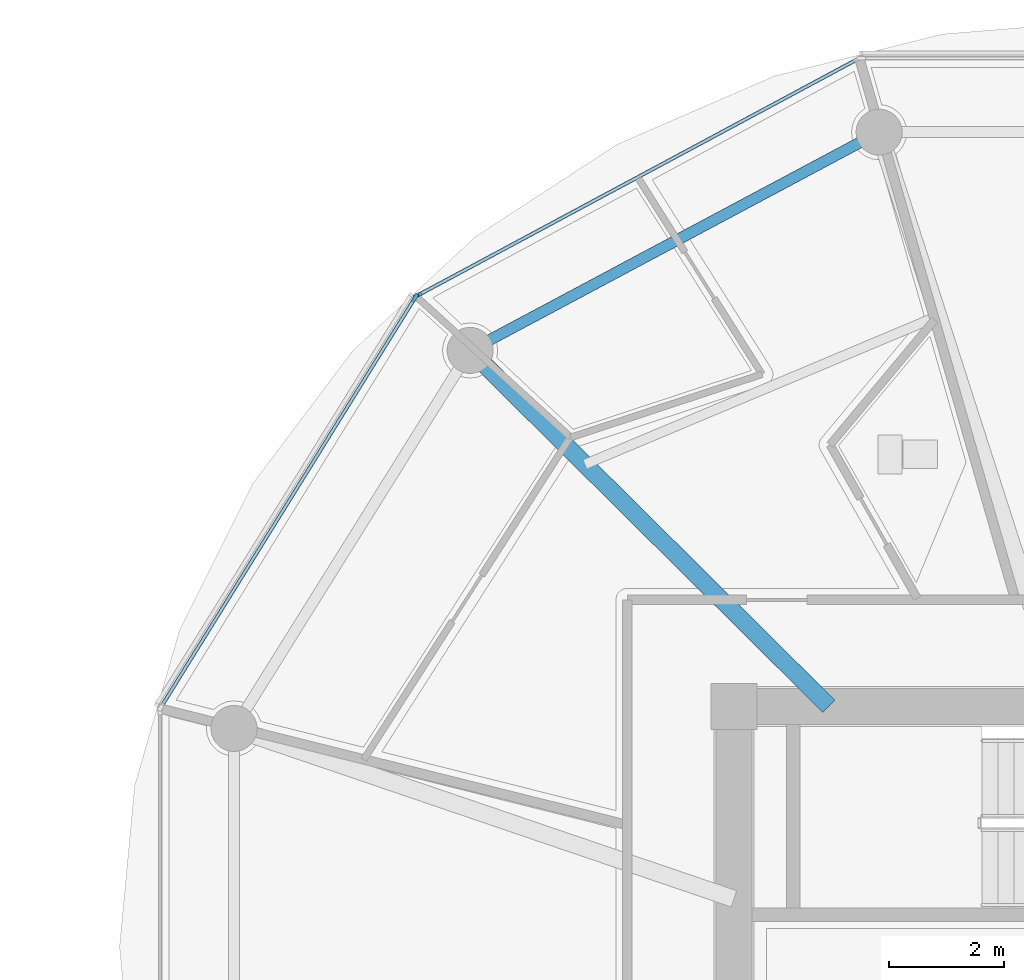
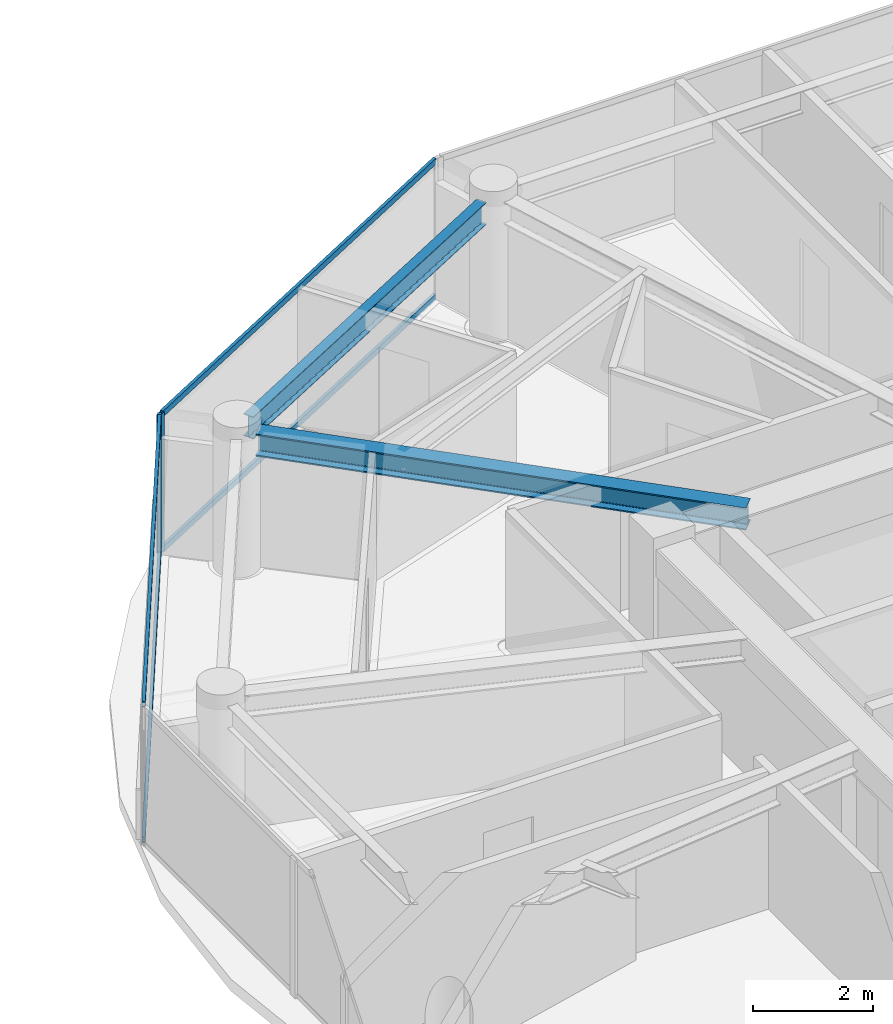
# One storey, part 8 of 25: 6 members, 2 beams, 2 elements without a shape of their own.
"""IFC4 building model written with IfcOpenShell, lengths in metres."""

from ifc_helpers import new_model, si_unit, direction, frame, origin, origin_2d, place, context, subcontext, project, spatial, rectangle, i_section, extrude, source, transform, mapped, material, layer, layer_set, material_profile, profile_set, type_object, type_shapes, element, aggregate, save


model = new_model("IFC4")

# Units and contexts
model_context = context("Model", 3, precision=1e-05, world=origin(), true_north=direction((0.0, 1.0)))
body_context = subcontext(model_context, "Body", "Model", "MODEL_VIEW")
ifc_project = project(units=[si_unit("LENGTHUNIT", "METRE"), si_unit("AREAUNIT", "SQUARE_METRE"), si_unit("VOLUMEUNIT", "CUBIC_METRE"), si_unit("PLANEANGLEUNIT", "RADIAN"), si_unit("MASSUNIT", "GRAM", prefix="KILO")], contexts=[model_context])

# Site, building, storey
site_placement = place(None, origin())
site = spatial("IfcSite", under=ifc_project, at=site_placement, CompositionType="ELEMENT")
building_placement = place(site_placement, origin())
building = spatial("IfcBuilding", under=site, at=building_placement, Name="Norrkilde Senior Care Towers", CompositionType="ELEMENT")
storey_placement = place(building_placement, frame((0.0, 0.0, 161.75)))
storey = spatial("IfcBuildingStorey", under=building, at=storey_placement, Name="L50", CompositionType="ELEMENT", Elevation=161.75)

# Beams
ifc_material_1 = material(Name="Steel S355", Category="steel")
ifc_material_profile_1 = material_profile(ifc_material_1, i_section(OverallWidth=0.18994140625, OverallDepth=0.449951171875, WebThickness=0.009521484375, FlangeThickness=0.0146484375, FilletRadius=0.02099609375, at=origin_2d()), Name="IPE 450")
ifc_profile_set_1 = profile_set([ifc_material_profile_1], Name="Steel S355")
beam_type_1 = type_object("IfcBeamType", Name="Perimeter Ring Spandrel Z3 IPE450", PredefinedType="SPANDREL", material=ifc_profile_set_1)
shared_shape_1 = source(origin(), body_context, "Body", "SweptSolid", [
    extrude(i_section(OverallWidth=0.18994140625, OverallDepth=0.449951171875, WebThickness=0.009521484375, FlangeThickness=0.0146484375, FilletRadius=0.02099609375, at=origin_2d()), origin(), (0.0, 0.0, 1.0), 7.333740234375),
])
type_shapes(beam_type_1, [shared_shape_1])
beam_1_placement = place(storey_placement, frame((22.55517578125, 15.756591796875, 2.5849609375), z_axis=(-0.882247866069, -0.470785198172, 0.0), x_axis=(0.470785198172, -0.882247866069, 0.0)))
element("IfcBeam", 1, at=beam_1_placement, inside=storey, type_object=beam_type_1, Name="L50 Drum E Perimeter Spandrel 04", PredefinedType="SPANDREL", context=body_context, shape_type="MappedRepresentation", body=[
    mapped(shared_shape_1, transform((0.0, 0.0, 0.0), x_axis=(1.0, 0.0, 0.0), y_axis=(0.0, 1.0, 0.0), z_axis=(0.0, 0.0, 1.0), scale=1.0)),
])
ifc_material_profile_2 = material_profile(ifc_material_1, i_section(OverallWidth=0.300048828125, OverallDepth=0.449951171875, WebThickness=0.013916015625, FlangeThickness=0.02587890625, FilletRadius=0.027099609375, at=origin_2d()), Name="HEB 450")
ifc_profile_set_2 = profile_set([ifc_material_profile_2], Name="Steel S355")
beam_type_2 = type_object("IfcBeamType", Name="Radial Floor Beam Z3 HEB450", PredefinedType="BEAM", material=ifc_profile_set_2)
shared_shape_2 = source(origin(), body_context, "Body", "SweptSolid", [
    extrude(i_section(OverallWidth=0.300048828125, OverallDepth=0.449951171875, WebThickness=0.013916015625, FlangeThickness=0.02587890625, FilletRadius=0.027099609375, at=origin_2d()), origin(), (0.0, 0.0, 1.0), 8.421630859375),
])
type_shapes(beam_type_2, [shared_shape_2])
beam_2_placement = place(storey_placement, frame((22.001953125, 5.949951171875, 2.5849609375), z_axis=(-0.709956495972, 0.704245535184, 0.0), x_axis=(-0.704245535184, -0.709956495972, 0.0)))
element("IfcBeam", 2, at=beam_2_placement, inside=storey, type_object=beam_type_2, Name="L50 Drum E Radial Floor Beam 05", PredefinedType="BEAM", context=body_context, shape_type="MappedRepresentation", body=[
    mapped(shared_shape_2, transform((0.0, 0.0, 0.0), x_axis=(1.0, 0.0, 0.0), y_axis=(0.0, 1.0, 0.0), z_axis=(0.0, 0.0, 1.0), scale=1.0)),
])

# Curtain wall, member
ifc_material_2 = material(Name="Triple Low-E Insulated Glazing", Category="glass")
ifc_layer = layer(ifc_material_2, 0.18994140625)
ifc_layer_set = layer_set([ifc_layer], Name="Triple Low-E Insulated Glazing")
curtain_wall_type = type_object("IfcCurtainWallType", Name="CW4 Zone 3 Senior Residence Curtain Wall", PredefinedType="NOTDEFINED", material=ifc_layer_set)
curtain_wall_1_placement = place(storey_placement, origin())
curtain_wall_1 = element("IfcCurtainWall", 3, at=curtain_wall_1_placement, inside=storey, type_object=curtain_wall_type, Name="L50 Drum E Curtain Wall 03", PredefinedType="NOTDEFINED")
ifc_material_3 = material(Name="Anodised Aluminium", Category="aluminium")
ifc_material_profile_3 = material_profile(ifc_material_3, rectangle(XDim=0.06494140625, YDim=0.14990234375, at=origin_2d()), Name="ALU MULL 65x150")
ifc_profile_set_3 = profile_set([ifc_material_profile_3], Name="Anodised Aluminium")
member_type_1 = type_object("IfcMemberType", Name="Curtain Wall Mullion Z3-Z4 65x150", PredefinedType="MULLION", material=ifc_profile_set_3)
shared_shape_3 = source(origin(), body_context, "Body", "SweptSolid", [
    extrude(rectangle(XDim=0.06494140625, YDim=0.14990234375, at=origin_2d()), origin(), (0.0, 0.0, 1.0), 2.81005859375),
])
type_shapes(member_type_1, [shared_shape_3])
member_1_placement = place(storey_placement, frame((14.85546875, 13.09033203125, 0.0), z_axis=(0.0, 0.0, 1.0), x_axis=(-0.47311715104, 0.880999524059, 0.0)))
member_1 = element("IfcMember", 4, at=member_1_placement, type_object=member_type_1, Name="CW-4 mullion 1", PredefinedType="MULLION", context=body_context, shape_type="MappedRepresentation", body=[
    mapped(shared_shape_3, transform((0.0, 0.0, 0.0), x_axis=(1.0, 0.0, 0.0), y_axis=(0.0, 1.0, 0.0), z_axis=(0.0, 0.0, 1.0), scale=1.0)),
])

# Curtain wall, members
curtain_wall_2_placement = place(storey_placement, origin())
curtain_wall_2 = element("IfcCurtainWall", 5, at=curtain_wall_2_placement, inside=storey, type_object=curtain_wall_type, Name="L50 Drum E Curtain Wall 04", PredefinedType="NOTDEFINED")
member_2_placement = place(storey_placement, frame((14.809814453125, 13.04736328125, 0.0), z_axis=(0.0, 0.0, 1.0), x_axis=(-0.84963405474, 0.52737270789, 0.0)))
member_2 = element("IfcMember", 6, at=member_2_placement, type_object=member_type_1, Name="CW-4 mullion 2", PredefinedType="MULLION", context=body_context, shape_type="MappedRepresentation", body=[
    mapped(shared_shape_3, transform((0.0, 0.0, 0.0), x_axis=(1.0, 0.0, 0.0), y_axis=(0.0, 1.0, 0.0), z_axis=(0.0, 0.0, 1.0), scale=1.0)),
])
ifc_material_profile_4 = material_profile(ifc_material_3, rectangle(XDim=0.06005859375, YDim=0.1201171875, at=origin_2d()), Name="ALU TRAN 60x120")
ifc_profile_set_4 = profile_set([ifc_material_profile_4], Name="Anodised Aluminium")
member_type_2 = type_object("IfcMemberType", Name="Curtain Wall Transom Typical 60x120", PredefinedType="USERDEFINED", material=ifc_profile_set_4)
shared_shape_4 = source(origin(), body_context, "Body", "SweptSolid", [
    extrude(rectangle(XDim=0.06005859375, YDim=0.1201171875, at=origin_2d()), origin(), (0.0, 0.0, 1.0), 8.301513671875),
])
member_3_placement = place(storey_placement, frame((10.414794921875, 5.966552734375, 0.030029296875), z_axis=(0.527368718394, 0.849636531029, 0.0), x_axis=(-0.849636531029, 0.527368718394, 0.0)))
member_3 = element("IfcMember", 7, at=member_3_placement, type_object=member_type_2, Name="CW-4 transom 1.1", ObjectType="TRANSOM", PredefinedType="USERDEFINED", context=body_context, shape_type="MappedRepresentation", body=[
    mapped(shared_shape_4, transform((0.0, 0.0, 0.0), x_axis=(1.0, 0.0, 0.0), y_axis=(0.0, 1.0, 0.0), z_axis=(0.0, 0.0, 1.0), scale=1.0)),
])
member_4_placement = place(storey_placement, frame((10.414794921875, 5.966552734375, 2.780029296875), z_axis=(0.527368718394, 0.849636531029, 0.0), x_axis=(-0.849636531029, 0.527368718394, 0.0)))
member_4 = element("IfcMember", 8, at=member_4_placement, type_object=member_type_2, Name="CW-4 transom 1.2", ObjectType="TRANSOM", PredefinedType="USERDEFINED", context=body_context, shape_type="MappedRepresentation", body=[
    mapped(shared_shape_4, transform((0.0, 0.0, 0.0), x_axis=(1.0, 0.0, 0.0), y_axis=(0.0, 1.0, 0.0), z_axis=(0.0, 0.0, 1.0), scale=1.0)),
])
aggregate(curtain_wall_2, [member_2, member_3, member_4])

# Member
shared_shape_5 = source(origin(), body_context, "Body", "SweptSolid", [
    extrude(rectangle(XDim=0.06005859375, YDim=0.1201171875, at=origin_2d()), origin(), (0.0, 0.0, 1.0), 8.61181640625),
])
type_shapes(member_type_2, [shared_shape_4, shared_shape_5])
member_5_placement = place(storey_placement, frame((14.88427734375, 13.105712890625, 0.030029296875), z_axis=(0.880993991641, 0.473127452906, 0.0), x_axis=(-0.473127452906, 0.880993991641, 0.0)))
member_5 = element("IfcMember", 9, at=member_5_placement, type_object=member_type_2, Name="CW-4 transom 1.1", ObjectType="TRANSOM", PredefinedType="USERDEFINED", context=body_context, shape_type="MappedRepresentation", body=[
    mapped(shared_shape_5, transform((0.0, 0.0, 0.0), x_axis=(1.0, 0.0, 0.0), y_axis=(0.0, 1.0, 0.0), z_axis=(0.0, 0.0, 1.0), scale=1.0)),
])

member_6_placement = place(storey_placement, frame((14.88427734375, 13.105712890625, 2.780029296875), z_axis=(0.880993991641, 0.473127452906, 0.0), x_axis=(-0.473127452906, 0.880993991641, 0.0)))
member_6 = element("IfcMember", 10, at=member_6_placement, type_object=member_type_2, Name="CW-4 transom 1.2", ObjectType="TRANSOM", PredefinedType="USERDEFINED", context=body_context, shape_type="MappedRepresentation", body=[
    mapped(shared_shape_5, transform((0.0, 0.0, 0.0), x_axis=(1.0, 0.0, 0.0), y_axis=(0.0, 1.0, 0.0), z_axis=(0.0, 0.0, 1.0), scale=1.0)),
])

aggregate(curtain_wall_1, [member_1, member_5, member_6])

save(model, "model.ifc")
